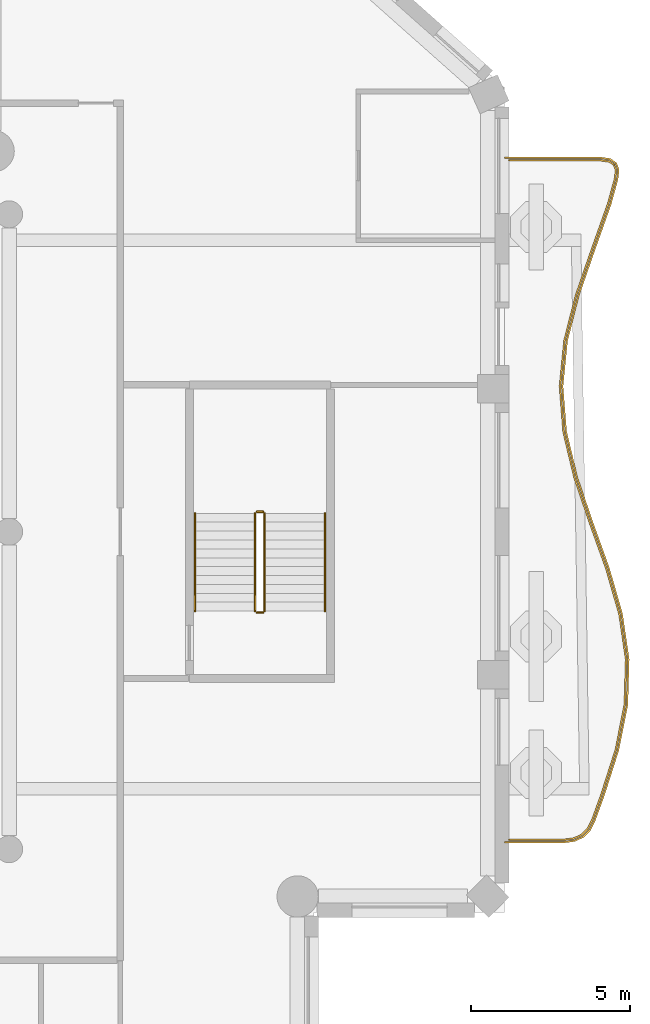
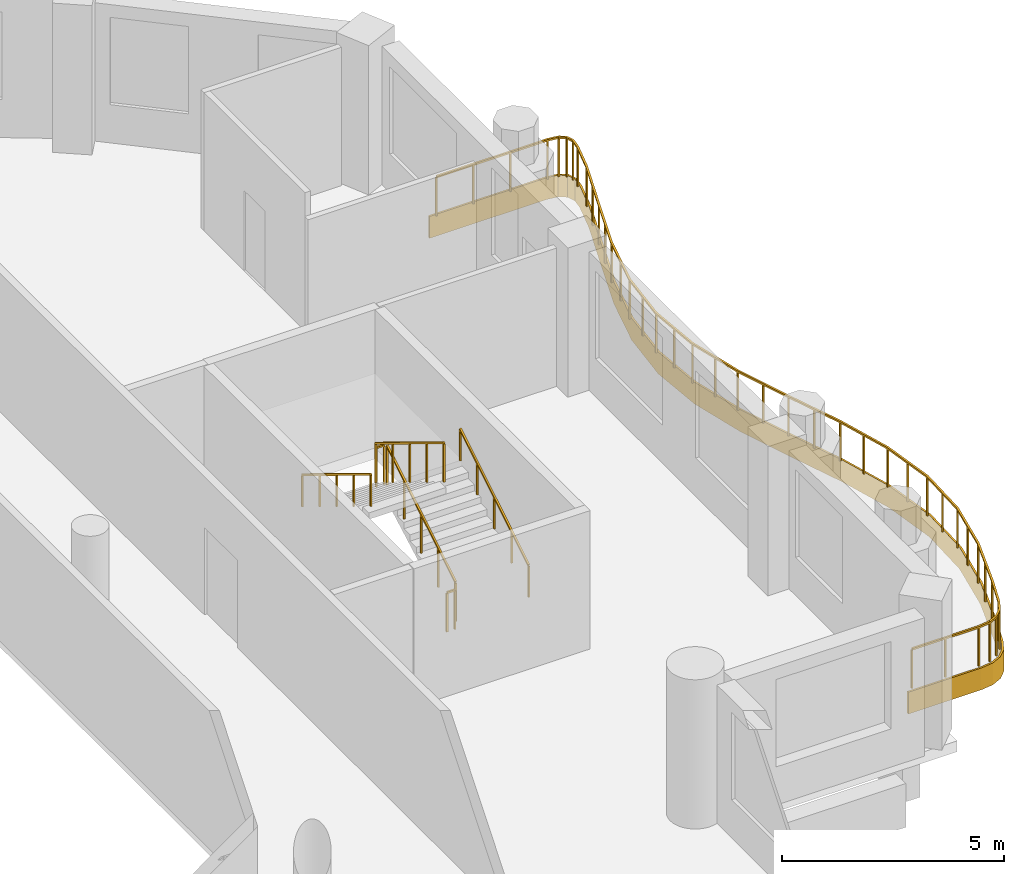
# One storey, part 12 of 14: 7 railings, 1 covering.
"""IFC4 building model written with IfcOpenShell, lengths in metres."""

from ifc_helpers import new_model, si_unit, direction, frame, origin, origin_2d, place, context, subcontext, project, spatial, polyline, rectangle, outline, extrude, material, layer, layer_set, type_object, element, save


model = new_model("IFC4")

# Units and contexts
model_context = context("Model", 3, precision=1e-05, world=origin(), true_north=direction((0.0, 1.0)))
body_context = subcontext(model_context, "Body", "Model", "MODEL_VIEW")
ifc_project = project(units=[si_unit("LENGTHUNIT", "METRE"), si_unit("AREAUNIT", "SQUARE_METRE"), si_unit("VOLUMEUNIT", "CUBIC_METRE"), si_unit("PLANEANGLEUNIT", "RADIAN"), si_unit("MASSUNIT", "GRAM", prefix="KILO")], contexts=[model_context])

# Site, building, storey
site_placement = place(None, origin())
site = spatial("IfcSite", under=ifc_project, at=site_placement, CompositionType="ELEMENT")
building_placement = place(site_placement, origin())
building = spatial("IfcBuilding", under=site, at=building_placement, Name="Cypress Arch Tower", CompositionType="ELEMENT")
storey_placement = place(building_placement, frame((0.0, 0.0, 263.89990234375)))
storey = spatial("IfcBuildingStorey", under=building, at=storey_placement, Name="L59", CompositionType="ELEMENT", Elevation=263.89990234375)

# Covering
ifc_material_1 = material(Name="White powder-coated aluminium fascia", Category="aluminium")
ifc_layer = layer(ifc_material_1, 0.050048828125)
ifc_layer_set = layer_set([ifc_layer], Name="Balcony fascia BF50")
covering_type = type_object("IfcCoveringType", Name="Balcony fascia BF50", PredefinedType="CLADDING", material=ifc_layer_set)
covering_placement = place(storey_placement, frame((0.0, 0.0, -0.599853515625)))
element("IfcCovering", 1, at=covering_placement, inside=storey, type_object=covering_type, Name="Balcony fascia L59-C17", PredefinedType="CLADDING", context=body_context, shape_type="SweptSolid", body=[
    extrude(outline(polyline([(27.644775390625, 11.800048828125), (27.94140625, 11.757568359375), (28.140380859375, 11.62060546875), (28.219482421875, 11.392578125), (28.181884765625, 11.09521484375), (27.96337890625, 10.3017578125), (27.454345703125, 8.86669921875), (26.95703125, 7.435546875), (26.593017578125, 6.008056640625), (26.45068359375, 4.582763671875), (26.56396484375, 3.157958984375), (26.90576171875, 1.73046875), (27.3935546875, 0.2998046875), (27.907958984375, -1.134521484375), (28.322509765625, -2.57275390625), (28.53515625, -4.013671875), (28.49267578125, -5.45556640625), (28.20556640625, -6.89599609375), (27.745361328125, -8.332763671875), (27.4580078125, -9.125), (27.307861328125, -9.4169921875), (27.09423828125, -9.63037109375), (26.821044921875, -9.75830078125), (26.495361328125, -9.800048828125), (24.60107421875, -9.800048828125), (24.60107421875, -9.75), (26.4921875, -9.75), (26.806884765625, -9.709716796875), (27.065185546875, -9.5888671875), (27.266845703125, -9.38720703125), (27.412109375, -9.10498046875), (27.697998046875, -8.316650390625), (28.1572265625, -6.88330078125), (28.44287109375, -5.449951171875), (28.485107421875, -4.0166015625), (28.273681640625, -2.583251953125), (27.8603515625, -1.14990234375), (27.346435546875, 0.283447265625), (26.85791015625, 1.716552734375), (26.514404296875, 3.14990234375), (26.400390625, 4.583251953125), (26.543701171875, 6.0166015625), (26.9091796875, 7.449951171875), (27.4072265625, 8.88330078125), (27.915771484375, 10.316650390625), (28.132568359375, 11.10498046875), (28.16845703125, 11.38720703125), (28.098388671875, 11.5888671875), (27.922607421875, 11.709716796875), (27.64111328125, 11.75), (24.60107421875, 11.75), (24.60107421875, 11.800048828125), (27.644775390625, 11.800048828125)])), origin(), (0.0, 0.0, 1.0), 0.599853515625),
])

# Railings
ifc_material_2 = material(Name="Powder-coated steel posts and rods, 100 mm clear between rods", Category="steel")
railing_type_1 = type_object("IfcRailingType", Name="Balcony guard GR1100", PredefinedType="GUARDRAIL", material=ifc_material_2)
railing_1_placement = place(storey_placement, frame((24.75, 11.699951171875, 0.0)))
element("IfcRailing", 2, at=railing_1_placement, inside=storey, type_object=railing_type_1, Name="Balcony guard L59-C17", PredefinedType="GUARDRAIL", context=body_context, shape_type="SweptSolid", body=[
    extrude(rectangle(XDim=0.050048828125, YDim=0.050048828125, at=origin_2d()), frame((0.0, 0.0, 1.0751953125), z_axis=(1.0, 0.0, 0.0), x_axis=(0.0, 1.0, 0.0)), (0.0, 0.0, 1.0), 2.8876953125),
    extrude(rectangle(XDim=0.050048828125, YDim=0.050048828125, at=origin_2d()), frame((2.8876953125, 0.0, 1.0751953125), z_axis=(0.989931338282, -0.141548385676, 0.0), x_axis=(0.141548385676, 0.989931338282, 0.0)), (0.0, 0.0, 1.0), 0.26904296875),
    extrude(rectangle(XDim=0.050048828125, YDim=0.050048828125, at=origin_2d()), frame((3.154052734375, -0.0380859375, 1.0751953125), z_axis=(0.823849572316, -0.566808505754, 0.0), x_axis=(0.566808505754, 0.823849572316, 0.0)), (0.0, 0.0, 1.0), 0.185302734375),
    extrude(rectangle(XDim=0.050048828125, YDim=0.050048828125, at=origin_2d()), frame((3.306640625, -0.14306640625, 1.0751953125), z_axis=(0.328060678503, -0.944656652557, 0.0), x_axis=(0.944656652557, 0.328060678503, 0.0)), (0.0, 0.0, 1.0), 0.185302734375),
    extrude(rectangle(XDim=0.050048828125, YDim=0.050048828125, at=origin_2d()), frame((3.367431640625, -0.318115234375, 1.0751953125), z_axis=(-0.126043361874, -0.992024733022, 0.0), x_axis=(0.992024733022, -0.126043361874, 0.0)), (0.0, 0.0, 1.0), 0.269287109375),
    extrude(rectangle(XDim=0.050048828125, YDim=0.050048828125, at=origin_2d()), frame((3.33349609375, -0.585205078125, 1.0751953125), z_axis=(-0.26517744668, -0.964199627553, 0.0), x_axis=(0.964199627553, -0.26517744668, 0.0)), (0.0, 0.0, 1.0), 0.81201171875),
    extrude(rectangle(XDim=0.050048828125, YDim=0.050048828125, at=origin_2d()), frame((3.1181640625, -1.3681640625, 1.0751953125), z_axis=(-0.334391429863, -0.942434279743, 0.0), x_axis=(0.942434279743, -0.334391429863, 0.0)), (0.0, 0.0, 1.0), 1.519287109375),
    extrude(rectangle(XDim=0.050048828125, YDim=0.050048828125, at=origin_2d()), frame((2.610107421875, -2.800048828125, 1.0751953125), z_axis=(-0.32820283314, -0.944607273061, 0.0), x_axis=(0.944607273061, -0.32820283314, 0.0)), (0.0, 0.0, 1.0), 1.519775390625),
    extrude(rectangle(XDim=0.050048828125, YDim=0.050048828125, at=origin_2d()), frame((2.111328125, -4.235595703125, 1.0751953125), z_axis=(-0.247097538208, -0.968990612241, 0.0), x_axis=(0.968990612241, -0.247097538208, 0.0)), (0.0, 0.0, 1.0), 1.485107421875),
    extrude(rectangle(XDim=0.050048828125, YDim=0.050048828125, at=origin_2d()), frame((1.744384765625, -5.674560546875, 1.0751953125), z_axis=(-0.099420298384, -0.995045528742, 0.0), x_axis=(0.995045528742, -0.099420298384, 0.0)), (0.0, 0.0, 1.0), 1.44873046875),
    extrude(rectangle(XDim=0.050048828125, YDim=0.050048828125, at=origin_2d()), frame((1.600341796875, -7.1162109375, 1.0751953125), z_axis=(0.079174883612, -0.99686074143, 0.0), x_axis=(0.99686074143, 0.079174883612, 0.0)), (0.0, 0.0, 1.0), 1.4462890625),
    extrude(rectangle(XDim=0.050048828125, YDim=0.050048828125, at=origin_2d()), frame((1.71484375, -8.557861328125, 1.0751953125), z_axis=(0.233054795347, -0.972463604648, 0.0), x_axis=(0.972463604648, 0.233054795347, 0.0)), (0.0, 0.0, 1.0), 1.480224609375),
    extrude(rectangle(XDim=0.050048828125, YDim=0.050048828125, at=origin_2d()), frame((2.059814453125, -9.997314453125, 1.0751953125), z_axis=(0.322546117265, -0.946553750316, 0.0), x_axis=(0.946553750316, 0.322546117265, 0.0)), (0.0, 0.0, 1.0), 1.516845703125),
    extrude(rectangle(XDim=0.050048828125, YDim=0.050048828125, at=origin_2d()), frame((2.549072265625, -11.43310546875, 1.0751953125), z_axis=(0.337616896036, -0.941283608436, 0.0), x_axis=(0.941283608436, 0.337616896036, 0.0)), (0.0, 0.0, 1.0), 1.521484375),
    extrude(rectangle(XDim=0.050048828125, YDim=0.050048828125, at=origin_2d()), frame((3.062744140625, -12.865234375, 1.0751953125), z_axis=(0.276997405035, -0.960870666429, 0.0), x_axis=(0.960870666429, 0.276997405035, 0.0)), (0.0, 0.0, 1.0), 1.48681640625),
    extrude(rectangle(XDim=0.050048828125, YDim=0.050048828125, at=origin_2d()), frame((3.474609375, -14.2939453125, 1.0751953125), z_axis=(0.14604514012, -0.9892779271, 0.0), x_axis=(0.9892779271, 0.14604514012, 0.0)), (0.0, 0.0, 1.0), 1.44091796875),
    extrude(rectangle(XDim=0.050048828125, YDim=0.050048828125, at=origin_2d()), frame((3.68505859375, -15.719482421875, 1.0751953125), z_axis=(-0.029630575537, -0.9995609181, 0.0), x_axis=(0.9995609181, -0.029630575537, 0.0)), (0.0, 0.0, 1.0), 1.425537109375),
    extrude(rectangle(XDim=0.050048828125, YDim=0.050048828125, at=origin_2d()), frame((3.642822265625, -17.144287109375, 1.0751953125), z_axis=(-0.195373679607, -0.98072887452, 0.0), x_axis=(0.98072887452, -0.195373679607, 0.0)), (0.0, 0.0, 1.0), 1.45458984375),
    extrude(rectangle(XDim=0.050048828125, YDim=0.050048828125, at=origin_2d()), frame((3.358642578125, -18.57080078125, 1.0751953125), z_axis=(-0.304935050297, -0.952373149086, 0.0), x_axis=(0.952373149086, -0.304935050297, 0.0)), (0.0, 0.0, 1.0), 1.501220703125),
    extrude(rectangle(XDim=0.050048828125, YDim=0.050048828125, at=origin_2d()), frame((2.90087890625, -20.00048828125, 1.0751953125), z_axis=(-0.341132232205, -0.940015319104, 0.0), x_axis=(0.940015319104, -0.341132232205, 0.0)), (0.0, 0.0, 1.0), 0.83447265625),
    extrude(rectangle(XDim=0.050048828125, YDim=0.050048828125, at=origin_2d()), frame((2.6162109375, -20.784912109375, 1.0751953125), z_axis=(-0.457384021632, -0.889269282476, 0.0), x_axis=(0.889269282476, -0.457384021632, 0.0)), (0.0, 0.0, 1.0), 0.306396484375),
    extrude(rectangle(XDim=0.050048828125, YDim=0.050048828125, at=origin_2d()), frame((2.47607421875, -21.057373046875, 1.0751953125), z_axis=(-0.707561365926, -0.706651904016, 0.0), x_axis=(0.706651904016, -0.707561365926, 0.0)), (0.0, 0.0, 1.0), 0.2685546875),
    extrude(rectangle(XDim=0.050048828125, YDim=0.050048828125, at=origin_2d()), frame((2.2861328125, -21.2470703125, 1.0751953125), z_axis=(-0.90557889187, -0.424177876132, 0.0), x_axis=(0.424177876132, -0.90557889187, 0.0)), (0.0, 0.0, 1.0), 0.268798828125),
    extrude(rectangle(XDim=0.050048828125, YDim=0.050048828125, at=origin_2d()), frame((2.042724609375, -21.361083984375, 1.0751953125), z_axis=(-0.991930588681, -0.126782125081, 0.0), x_axis=(0.126782125081, -0.991930588681, 0.0)), (0.0, 0.0, 1.0), 0.30615234375),
    extrude(rectangle(XDim=0.050048828125, YDim=0.050048828125, at=origin_2d()), frame((1.739013671875, -21.39990234375, 1.0751953125), z_axis=(-1.0, 0.0, 0.0), x_axis=(0.0, -1.0, 0.0)), (0.0, 0.0, 1.0), 1.739013671875),
    extrude(rectangle(XDim=0.0400390625, YDim=0.0400390625, at=origin_2d()), origin(), (0.0, 0.0, 1.0), 1.050048828125),
    extrude(rectangle(XDim=0.0400390625, YDim=0.0400390625, at=origin_2d()), frame((0.962646484375, 0.0, 0.0)), (0.0, 0.0, 1.0), 1.050048828125),
    extrude(rectangle(XDim=0.0400390625, YDim=0.0400390625, at=origin_2d()), frame((1.925048828125, 0.0, 0.0)), (0.0, 0.0, 1.0), 1.050048828125),
    extrude(rectangle(XDim=0.0400390625, YDim=0.0400390625, at=origin_2d()), frame((2.8876953125, 0.0, 0.0)), (0.0, 0.0, 1.0), 1.050048828125),
    extrude(rectangle(XDim=0.0400390625, YDim=0.0400390625, at=origin_2d()), frame((3.154052734375, -0.0380859375, 0.0)), (0.0, 0.0, 1.0), 1.050048828125),
    extrude(rectangle(XDim=0.0400390625, YDim=0.0400390625, at=origin_2d()), frame((3.306640625, -0.14306640625, 0.0)), (0.0, 0.0, 1.0), 1.050048828125),
    extrude(rectangle(XDim=0.0400390625, YDim=0.0400390625, at=origin_2d()), frame((3.367431640625, -0.318115234375, 0.0)), (0.0, 0.0, 1.0), 1.050048828125),
    extrude(rectangle(XDim=0.0400390625, YDim=0.0400390625, at=origin_2d()), frame((3.33349609375, -0.585205078125, 0.0)), (0.0, 0.0, 1.0), 1.050048828125),
    extrude(rectangle(XDim=0.0400390625, YDim=0.0400390625, at=origin_2d()), frame((3.1181640625, -1.3681640625, 0.0)), (0.0, 0.0, 1.0), 1.050048828125),
    extrude(rectangle(XDim=0.0400390625, YDim=0.0400390625, at=origin_2d()), frame((2.8642578125, -2.083984375, 0.0)), (0.0, 0.0, 1.0), 1.050048828125),
    extrude(rectangle(XDim=0.0400390625, YDim=0.0400390625, at=origin_2d()), frame((2.610107421875, -2.800048828125, 0.0)), (0.0, 0.0, 1.0), 1.050048828125),
    extrude(rectangle(XDim=0.0400390625, YDim=0.0400390625, at=origin_2d()), frame((2.36083984375, -3.517822265625, 0.0)), (0.0, 0.0, 1.0), 1.050048828125),
    extrude(rectangle(XDim=0.0400390625, YDim=0.0400390625, at=origin_2d()), frame((2.111328125, -4.235595703125, 0.0)), (0.0, 0.0, 1.0), 1.050048828125),
    extrude(rectangle(XDim=0.0400390625, YDim=0.0400390625, at=origin_2d()), frame((1.927734375, -4.955078125, 0.0)), (0.0, 0.0, 1.0), 1.050048828125),
    extrude(rectangle(XDim=0.0400390625, YDim=0.0400390625, at=origin_2d()), frame((1.744384765625, -5.674560546875, 0.0)), (0.0, 0.0, 1.0), 1.050048828125),
    extrude(rectangle(XDim=0.0400390625, YDim=0.0400390625, at=origin_2d()), frame((1.67236328125, -6.3955078125, 0.0)), (0.0, 0.0, 1.0), 1.050048828125),
    extrude(rectangle(XDim=0.0400390625, YDim=0.0400390625, at=origin_2d()), frame((1.600341796875, -7.1162109375, 0.0)), (0.0, 0.0, 1.0), 1.050048828125),
    extrude(rectangle(XDim=0.0400390625, YDim=0.0400390625, at=origin_2d()), frame((1.65771484375, -7.8369140625, 0.0)), (0.0, 0.0, 1.0), 1.050048828125),
    extrude(rectangle(XDim=0.0400390625, YDim=0.0400390625, at=origin_2d()), frame((1.71484375, -8.557861328125, 0.0)), (0.0, 0.0, 1.0), 1.050048828125),
    extrude(rectangle(XDim=0.0400390625, YDim=0.0400390625, at=origin_2d()), frame((1.88720703125, -9.277587890625, 0.0)), (0.0, 0.0, 1.0), 1.050048828125),
    extrude(rectangle(XDim=0.0400390625, YDim=0.0400390625, at=origin_2d()), frame((2.059814453125, -9.997314453125, 0.0)), (0.0, 0.0, 1.0), 1.050048828125),
    extrude(rectangle(XDim=0.0400390625, YDim=0.0400390625, at=origin_2d()), frame((2.304443359375, -10.71533203125, 0.0)), (0.0, 0.0, 1.0), 1.050048828125),
    extrude(rectangle(XDim=0.0400390625, YDim=0.0400390625, at=origin_2d()), frame((2.549072265625, -11.43310546875, 0.0)), (0.0, 0.0, 1.0), 1.050048828125),
    extrude(rectangle(XDim=0.0400390625, YDim=0.0400390625, at=origin_2d()), frame((2.805908203125, -12.149169921875, 0.0)), (0.0, 0.0, 1.0), 1.050048828125),
    extrude(rectangle(XDim=0.0400390625, YDim=0.0400390625, at=origin_2d()), frame((3.062744140625, -12.865234375, 0.0)), (0.0, 0.0, 1.0), 1.050048828125),
    extrude(rectangle(XDim=0.0400390625, YDim=0.0400390625, at=origin_2d()), frame((3.2685546875, -13.57958984375, 0.0)), (0.0, 0.0, 1.0), 1.050048828125),
    extrude(rectangle(XDim=0.0400390625, YDim=0.0400390625, at=origin_2d()), frame((3.474609375, -14.2939453125, 0.0)), (0.0, 0.0, 1.0), 1.050048828125),
    extrude(rectangle(XDim=0.0400390625, YDim=0.0400390625, at=origin_2d()), frame((3.579833984375, -15.0068359375, 0.0)), (0.0, 0.0, 1.0), 1.050048828125),
    extrude(rectangle(XDim=0.0400390625, YDim=0.0400390625, at=origin_2d()), frame((3.68505859375, -15.719482421875, 0.0)), (0.0, 0.0, 1.0), 1.050048828125),
    extrude(rectangle(XDim=0.0400390625, YDim=0.0400390625, at=origin_2d()), frame((3.6640625, -16.431884765625, 0.0)), (0.0, 0.0, 1.0), 1.050048828125),
    extrude(rectangle(XDim=0.0400390625, YDim=0.0400390625, at=origin_2d()), frame((3.642822265625, -17.144287109375, 0.0)), (0.0, 0.0, 1.0), 1.050048828125),
    extrude(rectangle(XDim=0.0400390625, YDim=0.0400390625, at=origin_2d()), frame((3.500732421875, -17.857421875, 0.0)), (0.0, 0.0, 1.0), 1.050048828125),
    extrude(rectangle(XDim=0.0400390625, YDim=0.0400390625, at=origin_2d()), frame((3.358642578125, -18.57080078125, 0.0)), (0.0, 0.0, 1.0), 1.050048828125),
    extrude(rectangle(XDim=0.0400390625, YDim=0.0400390625, at=origin_2d()), frame((3.1298828125, -19.28564453125, 0.0)), (0.0, 0.0, 1.0), 1.050048828125),
    extrude(rectangle(XDim=0.0400390625, YDim=0.0400390625, at=origin_2d()), frame((2.90087890625, -20.00048828125, 0.0)), (0.0, 0.0, 1.0), 1.050048828125),
    extrude(rectangle(XDim=0.0400390625, YDim=0.0400390625, at=origin_2d()), frame((2.6162109375, -20.784912109375, 0.0)), (0.0, 0.0, 1.0), 1.050048828125),
    extrude(rectangle(XDim=0.0400390625, YDim=0.0400390625, at=origin_2d()), frame((2.47607421875, -21.057373046875, 0.0)), (0.0, 0.0, 1.0), 1.050048828125),
    extrude(rectangle(XDim=0.0400390625, YDim=0.0400390625, at=origin_2d()), frame((2.2861328125, -21.2470703125, 0.0)), (0.0, 0.0, 1.0), 1.050048828125),
    extrude(rectangle(XDim=0.0400390625, YDim=0.0400390625, at=origin_2d()), frame((2.042724609375, -21.361083984375, 0.0)), (0.0, 0.0, 1.0), 1.050048828125),
    extrude(rectangle(XDim=0.0400390625, YDim=0.0400390625, at=origin_2d()), frame((1.739013671875, -21.39990234375, 0.0)), (0.0, 0.0, 1.0), 1.050048828125),
    extrude(rectangle(XDim=0.0400390625, YDim=0.0400390625, at=origin_2d()), frame((0.86962890625, -21.39990234375, 0.0)), (0.0, 0.0, 1.0), 1.050048828125),
    extrude(rectangle(XDim=0.0400390625, YDim=0.0400390625, at=origin_2d()), frame((0.0, -21.39990234375, 0.0)), (0.0, 0.0, 1.0), 1.050048828125),
])
ifc_material_3 = material(Name="Black powder-coated steel square bar 48 mm", Category="steel")
railing_type_2 = type_object("IfcRailingType", Name="Stair handrail HR1", PredefinedType="HANDRAIL", material=ifc_material_3)
railing_2_placement = place(storey_placement, frame((18.949951171875, -2.5, 0.1708984375)))
element("IfcRailing", 3, at=railing_2_placement, inside=storey, type_object=railing_type_2, Name="L59 C stair handrail 1", PredefinedType="HANDRAIL", context=body_context, shape_type="SweptSolid", body=[
    extrude(rectangle(XDim=0.048095703125, YDim=0.048095703125, at=origin_2d()), frame((0.0, 0.0, 0.8759765625), z_axis=(0.0, 0.853666305674, 0.52082035152), x_axis=(-1.0, 0.0, 0.0)), (0.0, 0.0, 1.0), 3.608154296875),
    extrude(rectangle(XDim=0.0419921875, YDim=0.0419921875, at=origin_2d()), origin(), (0.0, 0.0, 1.0), 0.851806640625),
    extrude(rectangle(XDim=0.0419921875, YDim=0.0419921875, at=origin_2d()), frame((0.0, 0.77001953125, 0.4697265625)), (0.0, 0.0, 1.0), 0.851806640625),
    extrude(rectangle(XDim=0.0419921875, YDim=0.0419921875, at=origin_2d()), frame((0.0, 1.5400390625, 0.939453125)), (0.0, 0.0, 1.0), 0.851806640625),
    extrude(rectangle(XDim=0.0419921875, YDim=0.0419921875, at=origin_2d()), frame((0.0, 2.31005859375, 1.409423828125)), (0.0, 0.0, 1.0), 0.851806640625),
    extrude(rectangle(XDim=0.0419921875, YDim=0.0419921875, at=origin_2d()), frame((0.0, 3.080078125, 1.879150390625)), (0.0, 0.0, 1.0), 0.851806640625),
])
railing_3_placement = place(storey_placement, frame((14.85009765625, 0.580078125, 2.220947265625)))
element("IfcRailing", 4, at=railing_3_placement, inside=storey, type_object=railing_type_2, Name="L59 C stair handrail 2", PredefinedType="HANDRAIL", context=body_context, shape_type="SweptSolid", body=[
    extrude(rectangle(XDim=0.048095703125, YDim=0.048095703125, at=origin_2d()), frame((0.0, 0.0, 0.8759765625), z_axis=(0.0, -0.853666305674, 0.52082035152), x_axis=(1.0, 0.0, 0.0)), (0.0, 0.0, 1.0), 3.608154296875),
    extrude(rectangle(XDim=0.0419921875, YDim=0.0419921875, at=origin_2d()), origin(), (0.0, 0.0, 1.0), 0.851806640625),
    extrude(rectangle(XDim=0.0419921875, YDim=0.0419921875, at=origin_2d()), frame((0.0, -0.77001953125, 0.4697265625)), (0.0, 0.0, 1.0), 0.851806640625),
    extrude(rectangle(XDim=0.0419921875, YDim=0.0419921875, at=origin_2d()), frame((0.0, -1.5400390625, 0.939453125)), (0.0, 0.0, 1.0), 0.851806640625),
    extrude(rectangle(XDim=0.0419921875, YDim=0.0419921875, at=origin_2d()), frame((0.0, -2.31005859375, 1.409423828125)), (0.0, 0.0, 1.0), 0.851806640625),
    extrude(rectangle(XDim=0.0419921875, YDim=0.0419921875, at=origin_2d()), frame((0.0, -3.080078125, 1.879150390625)), (0.0, 0.0, 1.0), 0.851806640625),
])
ifc_material_4 = material(Name="Black powder-coated steel balusters", Category="steel")
railing_type_3 = type_object("IfcRailingType", Name="Stair well guard G1", PredefinedType="GUARDRAIL", material=ifc_material_4)
railing_4_placement = place(storey_placement, frame((17.050048828125, -2.5, 0.1708984375)))
element("IfcRailing", 5, at=railing_4_placement, inside=storey, type_object=railing_type_3, Name="L59 C stair guard 1", PredefinedType="GUARDRAIL", context=body_context, shape_type="SweptSolid", body=[
    extrude(rectangle(XDim=0.048095703125, YDim=0.048095703125, at=origin_2d()), frame((0.0, 0.0, 1.076171875), z_axis=(0.0, 0.853666305674, 0.52082035152), x_axis=(-1.0, 0.0, 0.0)), (0.0, 0.0, 1.0), 3.608154296875),
    extrude(rectangle(XDim=0.0419921875, YDim=0.0419921875, at=origin_2d()), origin(), (0.0, 0.0, 1.0), 1.052001953125),
    extrude(rectangle(XDim=0.0419921875, YDim=0.0419921875, at=origin_2d()), frame((0.0, 0.77001953125, 0.4697265625)), (0.0, 0.0, 1.0), 1.052001953125),
    extrude(rectangle(XDim=0.0419921875, YDim=0.0419921875, at=origin_2d()), frame((0.0, 1.5400390625, 0.939453125)), (0.0, 0.0, 1.0), 1.052001953125),
    extrude(rectangle(XDim=0.0419921875, YDim=0.0419921875, at=origin_2d()), frame((0.0, 2.31005859375, 1.409423828125)), (0.0, 0.0, 1.0), 1.052001953125),
    extrude(rectangle(XDim=0.0419921875, YDim=0.0419921875, at=origin_2d()), frame((0.0, 3.080078125, 1.879150390625)), (0.0, 0.0, 1.0), 1.052001953125),
])
railing_5_placement = place(storey_placement, frame((17.0, 0.6298828125, 2.050048828125)))
element("IfcRailing", 6, at=railing_5_placement, inside=storey, type_object=railing_type_3, Name="L59 C stair guard 2", PredefinedType="GUARDRAIL", context=body_context, shape_type="SweptSolid", body=[
    extrude(rectangle(XDim=0.048095703125, YDim=0.048095703125, at=origin_2d()), frame((0.0, 0.0, 1.076171875), z_axis=(-1.0, 0.0, 0.0), x_axis=(0.0, -1.0, 0.0)), (0.0, 0.0, 1.0), 0.199951171875),
    extrude(rectangle(XDim=0.0419921875, YDim=0.0419921875, at=origin_2d()), origin(), (0.0, 0.0, 1.0), 1.052001953125),
    extrude(rectangle(XDim=0.0419921875, YDim=0.0419921875, at=origin_2d()), frame((-0.199951171875, 0.0, 0.0)), (0.0, 0.0, 1.0), 1.052001953125),
])
railing_6_placement = place(storey_placement, frame((16.75, 0.580078125, 2.220947265625)))
element("IfcRailing", 7, at=railing_6_placement, inside=storey, type_object=railing_type_3, Name="L59 C stair guard 3", PredefinedType="GUARDRAIL", context=body_context, shape_type="SweptSolid", body=[
    extrude(rectangle(XDim=0.048095703125, YDim=0.048095703125, at=origin_2d()), frame((0.0, 0.0, 1.076171875), z_axis=(0.0, -0.853666305674, 0.52082035152), x_axis=(1.0, 0.0, 0.0)), (0.0, 0.0, 1.0), 3.608154296875),
    extrude(rectangle(XDim=0.0419921875, YDim=0.0419921875, at=origin_2d()), origin(), (0.0, 0.0, 1.0), 1.052001953125),
    extrude(rectangle(XDim=0.0419921875, YDim=0.0419921875, at=origin_2d()), frame((0.0, -0.77001953125, 0.4697265625)), (0.0, 0.0, 1.0), 1.052001953125),
    extrude(rectangle(XDim=0.0419921875, YDim=0.0419921875, at=origin_2d()), frame((0.0, -1.5400390625, 0.939453125)), (0.0, 0.0, 1.0), 1.052001953125),
    extrude(rectangle(XDim=0.0419921875, YDim=0.0419921875, at=origin_2d()), frame((0.0, -2.31005859375, 1.409423828125)), (0.0, 0.0, 1.0), 1.052001953125),
    extrude(rectangle(XDim=0.0419921875, YDim=0.0419921875, at=origin_2d()), frame((0.0, -3.080078125, 1.879150390625)), (0.0, 0.0, 1.0), 1.052001953125),
])
railing_7_placement = place(storey_placement, frame((17.0, -2.550048828125, 0.0)))
element("IfcRailing", 8, at=railing_7_placement, inside=storey, type_object=railing_type_3, Name="L59 C stair guard 4", PredefinedType="GUARDRAIL", context=body_context, shape_type="SweptSolid", body=[
    extrude(rectangle(XDim=0.048095703125, YDim=0.048095703125, at=origin_2d()), frame((0.0, 0.0, 1.076171875), z_axis=(-1.0, 0.0, 0.0), x_axis=(0.0, -1.0, 0.0)), (0.0, 0.0, 1.0), 0.199951171875),
    extrude(rectangle(XDim=0.0419921875, YDim=0.0419921875, at=origin_2d()), origin(), (0.0, 0.0, 1.0), 1.052001953125),
    extrude(rectangle(XDim=0.0419921875, YDim=0.0419921875, at=origin_2d()), frame((-0.199951171875, 0.0, 0.0)), (0.0, 0.0, 1.0), 1.052001953125),
])

save(model, "model.ifc")
